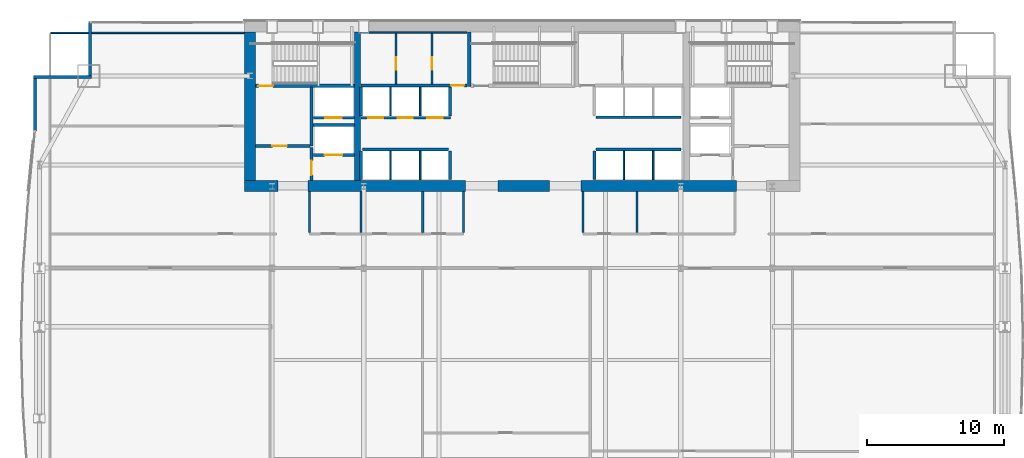
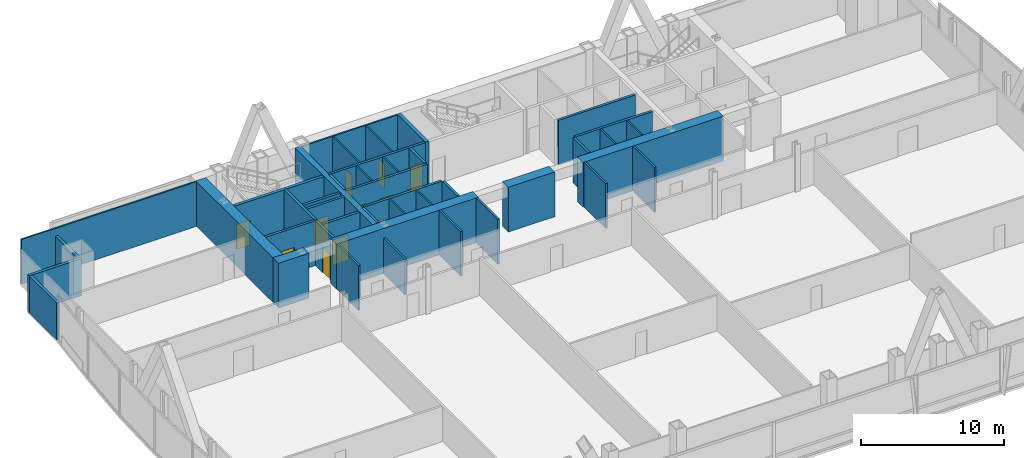
# One storey, part 29 of 33: 43 walls, 11 doors, 11 openings.
"""IFC4 building model written with IfcOpenShell, lengths in metres."""

from ifc_helpers import new_model, si_unit, direction, frame, frame_2d, origin, place, context, subcontext, project, spatial, rectangle, extrude, material, layer, layer_set, type_object, element, fill, save


model = new_model("IFC4")

# Units and contexts
model_context = context("Model", 3, precision=1e-05, world=origin(), true_north=direction((0.0, 1.0)))
body_context = subcontext(model_context, "Body", "Model", "MODEL_VIEW")
ifc_project = project(units=[si_unit("LENGTHUNIT", "METRE"), si_unit("AREAUNIT", "SQUARE_METRE"), si_unit("VOLUMEUNIT", "CUBIC_METRE"), si_unit("PLANEANGLEUNIT", "RADIAN"), si_unit("MASSUNIT", "GRAM", prefix="KILO")], contexts=[model_context])

# Site, building, storey
site_placement = place(None, origin())
site = spatial("IfcSite", under=ifc_project, at=site_placement, CompositionType="ELEMENT")
building_placement = place(site_placement, origin())
building = spatial("IfcBuilding", under=site, at=building_placement, Name="Khoronbel Lancet Exchange", CompositionType="ELEMENT")
storey_placement = place(building_placement, frame((0.0, 0.0, 73.800048828125)))
storey = spatial("IfcBuildingStorey", under=building, at=storey_placement, Name="L17", CompositionType="ELEMENT", Elevation=73.800048828125)

# Walls
ifc_material_1 = material(Name="Concrete C80/95", Category="concrete")
ifc_layer_1 = layer(ifc_material_1, 0.800048828125, Name="Concrete C80/95")
ifc_layer_set_1 = layer_set([ifc_layer_1], Name="Concrete C80/95")
wall_type_1 = type_object("IfcWallType", Name="WL-CW1", PredefinedType="SHEAR", material=ifc_layer_set_1)
wall_1_placement = place(storey_placement, frame((16.60009765625, 42.10009765625, 0.0), z_axis=(0.0, 0.0, 1.0), x_axis=(0.0, 1.0, 0.0)))
element("IfcWall", 1, at=wall_1_placement, inside=storey, type_object=wall_type_1, Name="Level L17 rear core west shear wall", PredefinedType="SHEAR", context=body_context, shape_type="SweptSolid", body=[
    extrude(rectangle(XDim=10.7998046875, YDim=0.800048828125, at=frame_2d((5.39990234375, 0.0))), origin(), (0.0, 0.0, 1.0), 3.820068359375),
])
wall_2_placement = place(storey_placement, frame((18.64990234375, 41.699951171875, 0.0), z_axis=(0.0, 0.0, 1.0), x_axis=(-1.0, 0.0, 0.0)))
element("IfcWall", 2, at=wall_2_placement, inside=storey, type_object=wall_type_1, Name="Level L17 rear core south shear wall pier P1", PredefinedType="SHEAR", context=body_context, shape_type="SweptSolid", body=[
    extrude(rectangle(XDim=2.449951171875, YDim=0.800048828125, at=frame_2d((1.22509765625, 0.0))), origin(), (0.0, 0.0, 1.0), 3.820068359375),
])
wall_3_placement = place(storey_placement, frame((32.300048828125, 41.699951171875, 0.0), z_axis=(0.0, 0.0, 1.0), x_axis=(-1.0, 0.0, 0.0)))
element("IfcWall", 3, at=wall_3_placement, inside=storey, type_object=wall_type_1, Name="Level L17 rear core south shear wall pier P2", PredefinedType="SHEAR", context=body_context, shape_type="SweptSolid", body=[
    extrude(rectangle(XDim=11.449951171875, YDim=0.800048828125, at=frame_2d((5.72509765625, 0.0))), origin(), (0.0, 0.0, 1.0), 3.820068359375),
])
wall_4_placement = place(storey_placement, frame((38.449951171875, 41.699951171875, 0.0), z_axis=(0.0, 0.0, 1.0), x_axis=(-1.0, 0.0, 0.0)))
element("IfcWall", 4, at=wall_4_placement, inside=storey, type_object=wall_type_1, Name="Level L17 rear core south shear wall pier P3", PredefinedType="SHEAR", context=body_context, shape_type="SweptSolid", body=[
    extrude(rectangle(XDim=3.75, YDim=0.800048828125, at=frame_2d((1.875, 0.0))), origin(), (0.0, 0.0, 1.0), 3.820068359375),
])
wall_5_placement = place(storey_placement, frame((52.050048828125, 41.699951171875, 0.0), z_axis=(0.0, 0.0, 1.0), x_axis=(-1.0, 0.0, 0.0)))
element("IfcWall", 5, at=wall_5_placement, inside=storey, type_object=wall_type_1, Name="Level L17 rear core south shear wall pier P4", PredefinedType="SHEAR", context=body_context, shape_type="SweptSolid", body=[
    extrude(rectangle(XDim=11.300048828125, YDim=0.800048828125, at=frame_2d((5.64990234375, 0.0))), origin(), (0.0, 0.0, 1.0), 3.820068359375),
])
ifc_material_2 = material(Name="Precast concrete C40/50", Category="concrete")
ifc_layer_2 = layer(ifc_material_2, 0.25, Name="Precast concrete C40/50")
ifc_layer_set_2 = layer_set([ifc_layer_2], Name="Precast concrete C40/50")
wall_type_2 = type_object("IfcWallType", Name="WL-EXT250", PredefinedType="SOLIDWALL", material=ifc_layer_set_2)
wall_6_placement = place(storey_placement, frame((0.93994140625, 45.675537109375, 0.0), z_axis=(0.0, 0.0, 1.0), x_axis=(0.0, 1.0, 0.0)))
element("IfcWall", 6, at=wall_6_placement, inside=storey, type_object=wall_type_2, Name="Level L17 notched-corner limestone pier 10", PredefinedType="SOLIDWALL", context=body_context, shape_type="SweptSolid", body=[
    extrude(rectangle(XDim=3.824462890625, YDim=0.219970703125, at=frame_2d((1.912109375, 0.0))), origin(), (0.0, 0.0, 1.0), 3.159912109375),
])
wall_7_placement = place(storey_placement, frame((0.830078125, 49.610107421875, 0.0), z_axis=(0.0, 0.0, 1.0), x_axis=(1.0, 0.0, 0.0)))
element("IfcWall", 7, at=wall_7_placement, inside=storey, type_object=wall_type_2, Name="Level L17 notched-corner limestone pier 11", PredefinedType="SOLIDWALL", context=body_context, shape_type="SweptSolid", body=[
    extrude(rectangle(XDim=4.219970703125, YDim=0.219970703125, at=frame_2d((2.10986328125, 0.0))), origin(), (0.0, 0.0, 1.0), 3.159912109375),
])
wall_8_placement = place(storey_placement, frame((4.93994140625, 49.719970703125, 0.0), z_axis=(0.0, 0.0, 1.0), x_axis=(0.0, 1.0, 0.0)))
element("IfcWall", 8, at=wall_8_placement, inside=storey, type_object=wall_type_2, Name="Level L17 notched-corner limestone pier 12", PredefinedType="SOLIDWALL", context=body_context, shape_type="SweptSolid", body=[
    extrude(rectangle(XDim=3.909912109375, YDim=0.219970703125, at=frame_2d((1.955078125, 0.0))), origin(), (0.0, 0.0, 1.0), 3.159912109375),
])
ifc_material_3 = material(Name="Acoustic Metal-Stud & Mineral-Wool Gypsum Partition 120 mm", Category="gypsum")
ifc_layer_3 = layer(ifc_material_3, 0.1201171875, Name="Acoustic Metal-Stud & Mineral-Wool Gypsum Partition 120 mm")
ifc_layer_set_3 = layer_set([ifc_layer_3], Name="Acoustic Metal-Stud & Mineral-Wool Gypsum Partition 120 mm")
wall_type_3 = type_object("IfcWallType", Name="WL-PRT120", PredefinedType="PARTITIONING", material=ifc_layer_set_3)
wall_9_placement = place(storey_placement, frame((20.949951171875, 38.280029296875, 0.0), z_axis=(0.0, 0.0, 1.0), x_axis=(0.0, 1.0, 0.0)))
element("IfcWall", 9, at=wall_9_placement, inside=storey, type_object=wall_type_3, Name="Level L17 interior partition PW-WC-0", PredefinedType="PARTITIONING", context=body_context, shape_type="SweptSolid", body=[
    extrude(rectangle(XDim=3.02001953125, YDim=0.14990234375, at=frame_2d((1.510009765625, 0.0))), origin(), (0.0, 0.0, 1.0), 3.820068359375),
])
wall_10_placement = place(storey_placement, frame((24.699951171875, 38.280029296875, 0.0), z_axis=(0.0, 0.0, 1.0), x_axis=(0.0, 1.0, 0.0)))
element("IfcWall", 10, at=wall_10_placement, inside=storey, type_object=wall_type_3, Name="Level L17 interior partition PW-WC-1", PredefinedType="PARTITIONING", context=body_context, shape_type="SweptSolid", body=[
    extrude(rectangle(XDim=3.02001953125, YDim=0.14990234375, at=frame_2d((1.510009765625, 0.0))), origin(), (0.0, 0.0, 1.0), 3.010009765625),
])
for number, where, z_axis, x_axis, name in (
    (11, (29.199951171875, 38.280029296875, 0.0), (0.0, 0.0, 1.0), (0.0, 1.0, 0.0), "Level L17 interior partition PW-WC-2"),
    (12, (32.179931640625, 38.280029296875, 0.0), (0.0, 0.0, 1.0), (0.0, 1.0, 0.0), "Level L17 interior partition PW-WC-3"),
    (13, (40.8798828125, 38.280029296875, 0.0), (0.0, 0.0, 1.0), (0.0, 1.0, 0.0), "Level L17 interior partition PW-NP-0"),
    (14, (44.800048828125, 38.280029296875, 0.0), (0.0, 0.0, 1.0), (0.0, 1.0, 0.0), "Level L17 interior partition PW-NP-M"),
):
    element("IfcWall", number, at=place(storey_placement, frame(where, z_axis=z_axis, x_axis=x_axis)), inside=storey, type_object=wall_type_3, Name=name, PredefinedType="PARTITIONING", context=body_context, shape_type="SweptSolid", body=[
        extrude(rectangle(XDim=3.02001953125, YDim=0.14990234375, at=frame_2d((1.510009765625, 0.0))), origin(), (0.0, 0.0, 1.0), 3.820068359375),
    ])
wall_11_placement = place(storey_placement, frame((2.094970703125, 52.840087890625, 0.0), z_axis=(0.0, 0.0, 1.0), x_axis=(1.0, 0.0, 0.0)))
element("IfcWall", 15, at=wall_11_placement, inside=storey, type_object=wall_type_3, Name="Level L17 interior partition PW-LIN-NW", PredefinedType="PARTITIONING", context=body_context, shape_type="SweptSolid", body=[
    extrude(rectangle(XDim=14.10498046875, YDim=0.1201171875, at=frame_2d((7.052490234375, 0.0))), origin(), (0.0, 0.0, 1.0), 3.820068359375),
])
ifc_material_4 = material(Name="Fire-Rated Metal-Stud & Mineral-Wool Gypsum Partition 120 mm", Category="gypsum")
ifc_layer_4 = layer(ifc_material_4, 0.1201171875, Name="Fire-Rated Metal-Stud & Mineral-Wool Gypsum Partition 120 mm")
ifc_layer_set_4 = layer_set([ifc_layer_4], Name="Fire-Rated Metal-Stud & Mineral-Wool Gypsum Partition 120 mm")
wall_type_4 = type_object("IfcWallType", Name="WL-PRT120F", PredefinedType="PARTITIONING", material=ifc_layer_set_4)
for number, where, z_axis, x_axis, name in (
    (16, (26.860107421875, 46.800048828125, 0.0), (0.0, 0.0, 1.0), (0.0, 1.0, 0.0), "Level L17 interior partition CW-PL-D1"),
    (17, (29.02001953125, 46.800048828125, 0.0), (0.0, 0.0, 1.0), (0.0, 1.0, 0.0), "Level L17 interior partition CW-PL-D2"),
):
    element("IfcWall", number, at=place(storey_placement, frame(where, z_axis=z_axis, x_axis=x_axis)), inside=storey, type_object=wall_type_4, Name=name, PredefinedType="PARTITIONING", context=body_context, shape_type="SweptSolid", body=[
        extrude(rectangle(XDim=2.094970703125, YDim=0.1201171875, at=frame_2d((1.04736328125, 0.0))), origin(), (0.0, 0.0, 1.0), 3.820068359375),
    ])
for number, where, z_axis, x_axis, name in (
    (18, (26.860107421875, 42.14990234375, 0.0), (0.0, 0.0, 1.0), (0.0, 1.0, 0.0), "Level L17 interior partition CW-PM-D1"),
    (19, (29.02001953125, 42.14990234375, 0.0), (0.0, 0.0, 1.0), (0.0, 1.0, 0.0), "Level L17 interior partition CW-PM-D2"),
    (20, (43.860107421875, 42.14990234375, 0.0), (0.0, 0.0, 1.0), (0.0, 1.0, 0.0), "Level L17 interior partition CW-PX-D1"),
    (21, (46.0, 42.14990234375, 0.0), (0.0, 0.0, 1.0), (0.0, 1.0, 0.0), "Level L17 interior partition CW-PX-D2"),
):
    element("IfcWall", number, at=place(storey_placement, frame(where, z_axis=z_axis, x_axis=x_axis)), inside=storey, type_object=wall_type_4, Name=name, PredefinedType="PARTITIONING", context=body_context, shape_type="SweptSolid", body=[
        extrude(rectangle(XDim=2.09521484375, YDim=0.1201171875, at=frame_2d((1.047607421875, 0.0))), origin(), (0.0, 0.0, 1.0), 3.820068359375),
    ])
wall_12_placement = place(storey_placement, frame((24.699951171875, 52.860107421875, 0.0), z_axis=(0.0, 0.0, 1.0), x_axis=(1.0, 0.0, 0.0)))
element("IfcWall", 22, at=wall_12_placement, inside=storey, type_object=wall_type_4, Name="Level L17 interior partition CW-SUP-NW-N", PredefinedType="PARTITIONING", context=body_context, shape_type="SweptSolid", body=[
    extrude(rectangle(XDim=7.719970703125, YDim=0.1201171875, at=frame_2d((3.85986328125, 0.0))), origin(), (0.0, 0.0, 1.0), 3.820068359375),
])

# Wall, opening, door
wall_13_placement = place(storey_placement, frame((27.24755859375, 49.10498046875, 0.0), z_axis=(0.0, 0.0, 1.0), x_axis=(0.0, 1.0, 0.0)))
wall_13 = element("IfcWall", 23, at=wall_13_placement, inside=storey, type_object=wall_type_4, Name="Level L17 interior partition CW-SUP-NW-T1", PredefinedType="PARTITIONING", context=body_context, shape_type="SweptSolid", body=[
    extrude(rectangle(XDim=3.68994140625, YDim=0.1201171875, at=frame_2d((1.844970703125, 0.0))), origin(), (0.0, 0.0, 1.0), 3.820068359375),
])
opening_1_placement = place(wall_13_placement, frame((1.050048828125, 0.0, 0.0)))
opening_1 = element("IfcOpeningElement", 24, at=opening_1_placement, cuts=wall_13, Name="Opening FD4", PredefinedType="OPENING", context=body_context, shape_type="SweptSolid", body=[
    extrude(rectangle(XDim=0.89990234375, YDim=2.050048828125, at=frame_2d((0.449951171875, 1.02490234375))), frame((0.0, 0.070068359375, 0.0), z_axis=(0.0, -1.0, 0.0), x_axis=(1.0, 0.0, 0.0)), (0.0, 0.0, 1.0), 0.14013671875),
])
ifc_material_5 = material(Name="Fire-Rated Steel Core Support Door Assembly", Category="steel")
door_type_1 = type_object("IfcDoorType", Name="DR-FD4", OperationType="NOTDEFINED", PredefinedType="DOOR", material=ifc_material_5)
door_1_placement = place(opening_1_placement, origin())
door_1 = element("IfcDoor", 25, at=door_1_placement, inside=storey, type_object=door_type_1, Name="Core NW bay 1 door L17-1", OperationType="SINGLE_SWING_LEFT", OverallHeight=2.050048828125, OverallWidth=0.89990234375, PredefinedType="DOOR", context=body_context, shape_type="SweptSolid", body=[
    extrude(rectangle(XDim=0.89990234375, YDim=2.050048828125, at=frame_2d((0.449951171875, 1.02490234375))), frame((0.0, 0.02490234375, 0.0), z_axis=(0.0, -1.0, 0.0), x_axis=(1.0, 0.0, 0.0)), (0.0, 0.0, 1.0), 0.050048828125),
])
fill(opening_1, door_1)

wall_14_placement = place(storey_placement, frame((29.872314453125, 49.10498046875, 0.0), z_axis=(0.0, 0.0, 1.0), x_axis=(0.0, 1.0, 0.0)))
wall_14 = element("IfcWall", 26, at=wall_14_placement, inside=storey, type_object=wall_type_4, Name="Level L17 interior partition CW-SUP-NW-T2", PredefinedType="PARTITIONING", context=body_context, shape_type="SweptSolid", body=[
    extrude(rectangle(XDim=3.68994140625, YDim=0.1201171875, at=frame_2d((1.844970703125, 0.0))), origin(), (0.0, 0.0, 1.0), 3.820068359375),
])
opening_2_placement = place(wall_14_placement, frame((1.050048828125, 0.0, 0.0)))
opening_2 = element("IfcOpeningElement", 27, at=opening_2_placement, cuts=wall_14, Name="Opening FD4", PredefinedType="OPENING", context=body_context, shape_type="SweptSolid", body=[
    extrude(rectangle(XDim=0.89990234375, YDim=2.050048828125, at=frame_2d((0.449951171875, 1.02490234375))), frame((0.0, 0.070068359375, 0.0), z_axis=(0.0, -1.0, 0.0), x_axis=(1.0, 0.0, 0.0)), (0.0, 0.0, 1.0), 0.14013671875),
])
door_2_placement = place(opening_2_placement, origin())
door_2 = element("IfcDoor", 28, at=door_2_placement, inside=storey, type_object=door_type_1, Name="Core NW bay 2 door L17-1", OperationType="SINGLE_SWING_RIGHT", OverallHeight=2.050048828125, OverallWidth=0.89990234375, PredefinedType="DOOR", context=body_context, shape_type="SweptSolid", body=[
    extrude(rectangle(XDim=0.89990234375, YDim=2.050048828125, at=frame_2d((0.449951171875, 1.02490234375))), frame((0.0, 0.02490234375, 0.0), z_axis=(0.0, -1.0, 0.0), x_axis=(1.0, 0.0, 0.0)), (0.0, 0.0, 1.0), 0.050048828125),
])
fill(opening_2, door_2)

ifc_material_6 = material(Name="Autoclaved Aerated Concrete Blockwork 200 mm", Category="masonry")
ifc_layer_5 = layer(ifc_material_6, 0.199951171875, Name="Autoclaved Aerated Concrete Blockwork 200 mm")
ifc_layer_set_5 = layer_set([ifc_layer_5], Name="Autoclaved Aerated Concrete Blockwork 200 mm")
wall_type_5 = type_object("IfcWallType", Name="WL-PRT200", PredefinedType="PARTITIONING", material=ifc_layer_set_5)
wall_15_placement = place(storey_placement, frame((24.2099609375, 43.949951171875, 0.0), z_axis=(0.0, 0.0, 1.0), x_axis=(-1.0, 0.0, 0.0)))
wall_15 = element("IfcWall", 29, at=wall_15_placement, inside=storey, type_object=wall_type_5, Name="Level L17 elevator hoistway landing front wall SVLW", PredefinedType="PARTITIONING", context=body_context, shape_type="SweptSolid", body=[
    extrude(rectangle(XDim=2.969970703125, YDim=0.199951171875, at=frame_2d((1.48486328125, 0.0))), origin(), (0.0, 0.0, 1.0), 3.820068359375),
])
opening_3_placement = place(wall_15_placement, frame((0.860107421875, 0.0, 0.0)))
opening_3 = element("IfcOpeningElement", 30, at=opening_3_placement, cuts=wall_15, Name="Opening LD-SVL1", PredefinedType="OPENING", context=body_context, shape_type="SweptSolid", body=[
    extrude(rectangle(XDim=1.300048828125, YDim=2.179931640625, at=frame_2d((0.64990234375, 1.08984375))), frame((0.0, 0.10986328125, 0.0), z_axis=(0.0, -1.0, 0.0), x_axis=(1.0, 0.0, 0.0)), (0.0, 0.0, 1.0), 0.219970703125),
])
ifc_material_7 = material(Name="Heavy-Duty Bi-Parting Goods Lift Landing Door", Category="steel")
door_type_2 = type_object("IfcDoorType", Name="DR-LD-SVL", OperationType="NOTDEFINED", PredefinedType="DOOR", material=ifc_material_7)
door_3_placement = place(opening_3_placement, origin())
door_3 = element("IfcDoor", 31, at=door_3_placement, inside=storey, type_object=door_type_2, Name="Elevator landing sliding door LD-SVL1 L17", OperationType="SLIDING_TO_LEFT", OverallHeight=2.179931640625, OverallWidth=1.300048828125, PredefinedType="DOOR", context=body_context, shape_type="SweptSolid", body=[
    extrude(rectangle(XDim=1.300048828125, YDim=2.179931640625, at=frame_2d((0.64990234375, 1.08984375))), frame((0.0, 0.02490234375, 0.0), z_axis=(0.0, -1.0, 0.0), x_axis=(1.0, 0.0, 0.0)), (0.0, 0.0, 1.0), 0.050048828125),
])
fill(opening_3, door_3)

wall_16_placement = place(storey_placement, frame((24.2099609375, 46.64990234375, 0.0), z_axis=(0.0, 0.0, 1.0), x_axis=(-1.0, 0.0, 0.0)))
wall_16 = element("IfcWall", 32, at=wall_16_placement, inside=storey, type_object=wall_type_5, Name="Level L17 elevator hoistway landing front wall FFLW", PredefinedType="PARTITIONING", context=body_context, shape_type="SweptSolid", body=[
    extrude(rectangle(XDim=2.969970703125, YDim=0.199951171875, at=frame_2d((1.48486328125, 0.0))), origin(), (0.0, 0.0, 1.0), 3.820068359375),
])
opening_4_placement = place(wall_16_placement, frame((0.909912109375, 0.0, 0.0)))
opening_4 = element("IfcOpeningElement", 33, at=opening_4_placement, cuts=wall_16, Name="Opening LD-FFL1", PredefinedType="OPENING", context=body_context, shape_type="SweptSolid", body=[
    extrude(rectangle(XDim=1.199951171875, YDim=2.179931640625, at=frame_2d((0.60009765625, 1.08984375))), frame((0.0, 0.10986328125, 0.0), z_axis=(0.0, -1.0, 0.0), x_axis=(1.0, 0.0, 0.0)), (0.0, 0.0, 1.0), 0.219970703125),
])
ifc_material_8 = material(Name="Fire-Rated Stainless Bi-Parting Firefighting Lift Door", Category="steel")
door_type_3 = type_object("IfcDoorType", Name="DR-LD-FFL", OperationType="NOTDEFINED", PredefinedType="DOOR", material=ifc_material_8)
door_4_placement = place(opening_4_placement, origin())
door_4 = element("IfcDoor", 34, at=door_4_placement, inside=storey, type_object=door_type_3, Name="Elevator landing sliding door LD-FFL1 L17", OperationType="SLIDING_TO_LEFT", OverallHeight=2.179931640625, OverallWidth=1.199951171875, PredefinedType="DOOR", context=body_context, shape_type="SweptSolid", body=[
    extrude(rectangle(XDim=1.199951171875, YDim=2.179931640625, at=frame_2d((0.60009765625, 1.08984375))), frame((0.0, 0.02490234375, 0.0), z_axis=(0.0, -1.0, 0.0), x_axis=(1.0, 0.0, 0.0)), (0.0, 0.0, 1.0), 0.050048828125),
])
fill(opening_4, door_4)

# Wall, openings, doors
wall_17_placement = place(storey_placement, frame((31.219970703125, 46.64990234375, 0.0), z_axis=(0.0, 0.0, 1.0), x_axis=(-1.0, 0.0, 0.0)))
wall_17 = element("IfcWall", 35, at=wall_17_placement, inside=storey, type_object=wall_type_5, Name="Level L17 elevator hoistway landing front wall PLW", PredefinedType="PARTITIONING", context=body_context, shape_type="SweptSolid", body=[
    extrude(rectangle(XDim=6.530029296875, YDim=0.199951171875, at=frame_2d((3.26513671875, 0.0))), origin(), (0.0, 0.0, 1.0), 3.820068359375),
])
opening_5_placement = place(wall_17_placement, frame((4.89990234375, 0.0, 0.0)))
opening_5 = element("IfcOpeningElement", 36, at=opening_5_placement, cuts=wall_17, Name="Opening LD-PL1", PredefinedType="OPENING", context=body_context, shape_type="SweptSolid", body=[
    extrude(rectangle(XDim=1.10009765625, YDim=2.179931640625, at=frame_2d((0.550048828125, 1.08984375))), frame((0.0, 0.10986328125, 0.0), z_axis=(0.0, -1.0, 0.0), x_axis=(1.0, 0.0, 0.0)), (0.0, 0.0, 1.0), 0.219970703125),
])
opening_6_placement = place(wall_17_placement, frame((2.739990234375, 0.0, 0.0)))
opening_6 = element("IfcOpeningElement", 37, at=opening_6_placement, cuts=wall_17, Name="Opening LD-PL2", PredefinedType="OPENING", context=body_context, shape_type="SweptSolid", body=[
    extrude(rectangle(XDim=1.10009765625, YDim=2.179931640625, at=frame_2d((0.550048828125, 1.08984375))), frame((0.0, 0.10986328125, 0.0), z_axis=(0.0, -1.0, 0.0), x_axis=(1.0, 0.0, 0.0)), (0.0, 0.0, 1.0), 0.219970703125),
])
opening_7_placement = place(wall_17_placement, frame((0.580078125, 0.0, 0.0)))
opening_7 = element("IfcOpeningElement", 38, at=opening_7_placement, cuts=wall_17, Name="Opening LD-PL3", PredefinedType="OPENING", context=body_context, shape_type="SweptSolid", body=[
    extrude(rectangle(XDim=1.10009765625, YDim=2.179931640625, at=frame_2d((0.550048828125, 1.08984375))), frame((0.0, 0.10986328125, 0.0), z_axis=(0.0, -1.0, 0.0), x_axis=(1.0, 0.0, 0.0)), (0.0, 0.0, 1.0), 0.219970703125),
])
ifc_material_9 = material(Name="Brushed Bronze Bi-Parting Elevator Landing Door", Category="steel")
door_type_4 = type_object("IfcDoorType", Name="DR-LD-PAX", OperationType="NOTDEFINED", PredefinedType="DOOR", material=ifc_material_9)
door_5_placement = place(opening_5_placement, origin())
door_5 = element("IfcDoor", 39, at=door_5_placement, inside=storey, type_object=door_type_4, Name="Elevator landing sliding door LD-PL1 L17", OperationType="SLIDING_TO_LEFT", OverallHeight=2.179931640625, OverallWidth=1.10009765625, PredefinedType="DOOR", context=body_context, shape_type="SweptSolid", body=[
    extrude(rectangle(XDim=1.10009765625, YDim=2.179931640625, at=frame_2d((0.550048828125, 1.08984375))), frame((0.0, 0.02490234375, 0.0), z_axis=(0.0, -1.0, 0.0), x_axis=(1.0, 0.0, 0.0)), (0.0, 0.0, 1.0), 0.050048828125),
])
fill(opening_5, door_5)
door_6_placement = place(opening_6_placement, origin())
door_6 = element("IfcDoor", 40, at=door_6_placement, inside=storey, type_object=door_type_4, Name="Elevator landing sliding door LD-PL2 L17", OperationType="SLIDING_TO_LEFT", OverallHeight=2.179931640625, OverallWidth=1.10009765625, PredefinedType="DOOR", context=body_context, shape_type="SweptSolid", body=[
    extrude(rectangle(XDim=1.10009765625, YDim=2.179931640625, at=frame_2d((0.550048828125, 1.08984375))), frame((0.0, 0.02490234375, 0.0), z_axis=(0.0, -1.0, 0.0), x_axis=(1.0, 0.0, 0.0)), (0.0, 0.0, 1.0), 0.050048828125),
])
fill(opening_6, door_6)
door_7_placement = place(opening_7_placement, origin())
door_7 = element("IfcDoor", 41, at=door_7_placement, inside=storey, type_object=door_type_4, Name="Elevator landing sliding door LD-PL3 L17", OperationType="SLIDING_TO_LEFT", OverallHeight=2.179931640625, OverallWidth=1.10009765625, PredefinedType="DOOR", context=body_context, shape_type="SweptSolid", body=[
    extrude(rectangle(XDim=1.10009765625, YDim=2.179931640625, at=frame_2d((0.550048828125, 1.08984375))), frame((0.0, 0.02490234375, 0.0), z_axis=(0.0, -1.0, 0.0), x_axis=(1.0, 0.0, 0.0)), (0.0, 0.0, 1.0), 0.050048828125),
])
fill(opening_7, door_7)

# Wall
wall_18_placement = place(storey_placement, frame((21.10009765625, 44.60009765625, 0.0), z_axis=(0.0, 0.0, 1.0), x_axis=(0.0, 1.0, 0.0)))
element("IfcWall", 42, at=wall_18_placement, inside=storey, type_object=wall_type_5, Name="Level L17 interior partition CW-FFLW-E", PredefinedType="PARTITIONING", context=body_context, shape_type="SweptSolid", body=[
    extrude(rectangle(XDim=4.2998046875, YDim=0.199951171875, at=frame_2d((2.14990234375, 0.0))), origin(), (0.0, 0.0, 1.0), 3.820068359375),
])

# Wall, opening, door
wall_19_placement = place(storey_placement, frame((17.0, 44.60009765625, 0.0), z_axis=(0.0, 0.0, 1.0), x_axis=(1.0, 0.0, 0.0)))
wall_19 = element("IfcWall", 43, at=wall_19_placement, inside=storey, type_object=wall_type_5, Name="Level L17 interior partition CW-FFLW-S", PredefinedType="PARTITIONING", context=body_context, shape_type="SweptSolid", body=[
    extrude(rectangle(XDim=4.0, YDim=0.199951171875, at=frame_2d((2.0, 0.0))), origin(), (0.0, 0.0, 1.0), 3.820068359375),
])
opening_8_placement = place(wall_19_placement, frame((1.25, 0.0, 0.0)))
opening_8 = element("IfcOpeningElement", 44, at=opening_8_placement, cuts=wall_19, Name="Opening FD1", PredefinedType="OPENING", context=body_context, shape_type="SweptSolid", body=[
    extrude(rectangle(XDim=1.050048828125, YDim=2.14990234375, at=frame_2d((0.52490234375, 1.074951171875))), frame((0.0, 0.10986328125, 0.0), z_axis=(0.0, -1.0, 0.0), x_axis=(1.0, 0.0, 0.0)), (0.0, 0.0, 1.0), 0.219970703125),
])
ifc_material_10 = material(Name="Fire-Rated Painted Steel Door Assembly", Category="steel")
door_type_5 = type_object("IfcDoorType", Name="DR-FD1", OperationType="NOTDEFINED", PredefinedType="DOOR", material=ifc_material_10)
door_8_placement = place(opening_8_placement, origin())
door_8 = element("IfcDoor", 45, at=door_8_placement, inside=storey, type_object=door_type_5, Name="West firefighting lobby FD90S door L17-1", OperationType="SINGLE_SWING_RIGHT", OverallHeight=2.14990234375, OverallWidth=1.050048828125, PredefinedType="DOOR", context=body_context, shape_type="SweptSolid", body=[
    extrude(rectangle(XDim=1.050048828125, YDim=2.14990234375, at=frame_2d((0.52490234375, 1.074951171875))), frame((0.0, 0.02490234375, 0.0), z_axis=(0.0, -1.0, 0.0), x_axis=(1.0, 0.0, 0.0)), (0.0, 0.0, 1.0), 0.050048828125),
])
fill(opening_8, door_8)

# Wall
wall_20_placement = place(storey_placement, frame((21.199951171875, 46.1201171875, 0.0), z_axis=(0.0, 0.0, 1.0), x_axis=(1.0, 0.0, 0.0)))
element("IfcWall", 46, at=wall_20_placement, inside=storey, type_object=wall_type_5, Name="Level L17 interior partition CW-FFL1-S", PredefinedType="PARTITIONING", context=body_context, shape_type="SweptSolid", body=[
    extrude(rectangle(XDim=3.02001953125, YDim=0.199951171875, at=frame_2d((1.510009765625, 0.0))), origin(), (0.0, 0.0, 1.0), 3.820068359375),
])

# Wall, opening, door
wall_21_placement = place(storey_placement, frame((21.10009765625, 42.10009765625, 0.0), z_axis=(0.0, 0.0, 1.0), x_axis=(0.0, 1.0, 0.0)))
wall_21 = element("IfcWall", 47, at=wall_21_placement, inside=storey, type_object=wall_type_5, Name="Level L17 interior partition CW-SVLW-W", PredefinedType="PARTITIONING", context=body_context, shape_type="SweptSolid", body=[
    extrude(rectangle(XDim=2.39501953125, YDim=0.199951171875, at=frame_2d((1.197509765625, 0.0))), origin(), (0.0, 0.0, 1.0), 3.820068359375),
])
opening_9_placement = place(wall_21_placement, frame((0.3798828125, 0.0, 0.0)))
opening_9 = element("IfcOpeningElement", 48, at=opening_9_placement, cuts=wall_21, Name="Opening FD1", PredefinedType="OPENING", context=body_context, shape_type="SweptSolid", body=[
    extrude(rectangle(XDim=1.050048828125, YDim=2.14990234375, at=frame_2d((0.52490234375, 1.074951171875))), frame((0.0, 0.10986328125, 0.0), z_axis=(0.0, -1.0, 0.0), x_axis=(1.0, 0.0, 0.0)), (0.0, 0.0, 1.0), 0.219970703125),
])
door_9_placement = place(opening_9_placement, origin())
door_9 = element("IfcDoor", 49, at=door_9_placement, inside=storey, type_object=door_type_5, Name="West service lift lobby door L17-1", OperationType="SINGLE_SWING_LEFT", OverallHeight=2.14990234375, OverallWidth=1.050048828125, PredefinedType="DOOR", context=body_context, shape_type="SweptSolid", body=[
    extrude(rectangle(XDim=1.050048828125, YDim=2.14990234375, at=frame_2d((0.52490234375, 1.074951171875))), frame((0.0, 0.02490234375, 0.0), z_axis=(0.0, -1.0, 0.0), x_axis=(1.0, 0.0, 0.0)), (0.0, 0.0, 1.0), 0.050048828125),
])
fill(opening_9, door_9)

# Walls
for number, where, z_axis, x_axis, name in (
    (50, (24.699951171875, 46.800048828125, 0.0), (0.0, 0.0, 1.0), (0.0, 1.0, 0.0), "Level L17 interior partition CW-PL-W"),
    (51, (31.179931640625, 46.800048828125, 0.0), (0.0, 0.0, 1.0), (0.0, 1.0, 0.0), "Level L17 interior partition CW-PL-E"),
):
    element("IfcWall", number, at=place(storey_placement, frame(where, z_axis=z_axis, x_axis=x_axis)), inside=storey, type_object=wall_type_5, Name=name, PredefinedType="PARTITIONING", context=body_context, shape_type="SweptSolid", body=[
        extrude(rectangle(XDim=2.094970703125, YDim=0.199951171875, at=frame_2d((1.04736328125, 0.0))), origin(), (0.0, 0.0, 1.0), 3.820068359375),
    ])
wall_22_placement = place(storey_placement, frame((24.804931640625, 44.35009765625, 0.0), z_axis=(0.0, 0.0, 1.0), x_axis=(1.0, 0.0, 0.0)))
element("IfcWall", 52, at=wall_22_placement, inside=storey, type_object=wall_type_5, Name="Level L17 interior partition CW-PM-EXP", PredefinedType="PARTITIONING", context=body_context, shape_type="SweptSolid", body=[
    extrude(rectangle(XDim=6.27001953125, YDim=0.199951171875, at=frame_2d((3.135009765625, 0.0))), origin(), (0.0, 0.0, 1.0), 3.820068359375),
])
for number, where, z_axis, x_axis, name in (
    (53, (24.699951171875, 42.14990234375, 0.0), (0.0, 0.0, 1.0), (0.0, 1.0, 0.0), "Level L17 interior partition CW-PM-W"),
    (54, (31.179931640625, 42.14990234375, 0.0), (0.0, 0.0, 1.0), (0.0, 1.0, 0.0), "Level L17 interior partition CW-PM-E"),
):
    element("IfcWall", number, at=place(storey_placement, frame(where, z_axis=z_axis, x_axis=x_axis)), inside=storey, type_object=wall_type_5, Name=name, PredefinedType="PARTITIONING", context=body_context, shape_type="SweptSolid", body=[
        extrude(rectangle(XDim=2.09521484375, YDim=0.199951171875, at=frame_2d((1.047607421875, 0.0))), origin(), (0.0, 0.0, 1.0), 3.820068359375),
    ])
for number, where, z_axis, x_axis, name in (
    (55, (41.824951171875, 46.699951171875, 0.0), (0.0, 0.0, 1.0), (1.0, 0.0, 0.0), "Level L17 interior partition CW-PH-EXP"),
    (56, (41.824951171875, 44.35009765625, 0.0), (0.0, 0.0, 1.0), (1.0, 0.0, 0.0), "Level L17 interior partition CW-PX-EXP"),
):
    element("IfcWall", number, at=place(storey_placement, frame(where, z_axis=z_axis, x_axis=x_axis)), inside=storey, type_object=wall_type_5, Name=name, PredefinedType="PARTITIONING", context=body_context, shape_type="SweptSolid", body=[
        extrude(rectangle(XDim=6.2099609375, YDim=0.199951171875, at=frame_2d((3.10498046875, 0.0))), origin(), (0.0, 0.0, 1.0), 3.820068359375),
    ])
wall_23_placement = place(storey_placement, frame((41.719970703125, 42.14990234375, 0.0), z_axis=(0.0, 0.0, 1.0), x_axis=(0.0, 1.0, 0.0)))
element("IfcWall", 57, at=wall_23_placement, inside=storey, type_object=wall_type_5, Name="Level L17 interior partition CW-PX-W", PredefinedType="PARTITIONING", context=body_context, shape_type="SweptSolid", body=[
    extrude(rectangle(XDim=2.09521484375, YDim=0.199951171875, at=frame_2d((1.047607421875, 0.0))), origin(), (0.0, 0.0, 1.0), 3.820068359375),
])

# Wall, opening, door
wall_24_placement = place(storey_placement, frame((24.699951171875, 49.0, 0.0), z_axis=(0.0, 0.0, 1.0), x_axis=(1.0, 0.0, 0.0)))
wall_24 = element("IfcWall", 58, at=wall_24_placement, inside=storey, type_object=wall_type_5, Name="Level L17 interior partition CW-SUP-NW-S", PredefinedType="PARTITIONING", context=body_context, shape_type="SweptSolid", body=[
    extrude(rectangle(XDim=7.719970703125, YDim=0.199951171875, at=frame_2d((3.85986328125, 0.0))), origin(), (0.0, 0.0, 1.0), 3.820068359375),
])
opening_10_placement = place(wall_24_placement, frame((6.56005859375, 0.0, 0.0)))
opening_10 = element("IfcOpeningElement", 59, at=opening_10_placement, cuts=wall_24, Name="Opening FD3", PredefinedType="OPENING", context=body_context, shape_type="SweptSolid", body=[
    extrude(rectangle(XDim=0.949951171875, YDim=2.10009765625, at=frame_2d((0.47509765625, 1.050048828125))), frame((0.0, 0.10986328125, 0.0), z_axis=(0.0, -1.0, 0.0), x_axis=(1.0, 0.0, 0.0)), (0.0, 0.0, 1.0), 0.219970703125),
])
ifc_material_11 = material(Name="Fire-Rated Steel Plant & Riser Door Assembly", Category="steel")
door_type_6 = type_object("IfcDoorType", Name="DR-FD3", OperationType="NOTDEFINED", PredefinedType="DOOR", material=ifc_material_11)
door_10_placement = place(opening_10_placement, origin())
door_10 = element("IfcDoor", 60, at=door_10_placement, inside=storey, type_object=door_type_6, Name="Core NW support room door L17-1", OperationType="SINGLE_SWING_RIGHT", OverallHeight=2.10009765625, OverallWidth=0.949951171875, PredefinedType="DOOR", context=body_context, shape_type="SweptSolid", body=[
    extrude(rectangle(XDim=0.949951171875, YDim=2.10009765625, at=frame_2d((0.47509765625, 1.050048828125))), frame((0.0, 0.02490234375, 0.0), z_axis=(0.0, -1.0, 0.0), x_axis=(1.0, 0.0, 0.0)), (0.0, 0.0, 1.0), 0.050048828125),
])
fill(opening_10, door_10)

# Walls
ifc_layer_6 = layer(ifc_material_1, 0.449951171875, Name="Concrete C80/95")
ifc_layer_set_6 = layer_set([ifc_layer_6], Name="Concrete C80/95")
wall_type_6 = type_object("IfcWallType", Name="WL-SW1", PredefinedType="SHEAR", material=ifc_layer_set_6)
wall_25_placement = place(storey_placement, frame((24.449951171875, 42.10009765625, 0.0), z_axis=(0.0, 0.0, 1.0), x_axis=(0.0, 1.0, 0.0)))
element("IfcWall", 61, at=wall_25_placement, inside=storey, type_object=wall_type_6, Name="Level L17 rear core internal spine shear wall IW", PredefinedType="SHEAR", context=body_context, shape_type="SweptSolid", body=[
    extrude(rectangle(XDim=10.7998046875, YDim=0.449951171875, at=frame_2d((5.39990234375, 0.0))), origin(), (0.0, 0.0, 1.0), 3.820068359375),
])
ifc_material_12 = material(Name="Concrete C60/75", Category="concrete")
ifc_layer_7 = layer(ifc_material_12, 0.260009765625, Name="Concrete C60/75")
ifc_layer_set_7 = layer_set([ifc_layer_7], Name="Concrete C60/75")
wall_type_7 = type_object("IfcWallType", Name="WL-SW3", PredefinedType="SHEAR", material=ifc_layer_set_7)
wall_26_placement = place(storey_placement, frame((32.580078125, 48.949951171875, 0.0), z_axis=(0.0, 0.0, 1.0), x_axis=(0.0, 1.0, 0.0)))
element("IfcWall", 62, at=wall_26_placement, inside=storey, type_object=wall_type_7, Name="Level L17 central stairwell structural shear wall ST3W", PredefinedType="SHEAR", context=body_context, shape_type="SweptSolid", body=[
    extrude(rectangle(XDim=3.949951171875, YDim=0.260009765625, at=frame_2d((1.97509765625, 0.0))), origin(), (0.0, 0.0, 1.0), 3.820068359375),
])

# Wall, opening, door
wall_27_placement = place(storey_placement, frame((17.0, 48.97998046875, 0.0), z_axis=(0.0, 0.0, 1.0), x_axis=(1.0, 0.0, 0.0)))
wall_27 = element("IfcWall", 63, at=wall_27_placement, inside=storey, type_object=wall_type_7, Name="Level L17 west stairwell structural south wall", PredefinedType="SHEAR", context=body_context, shape_type="SweptSolid", body=[
    extrude(rectangle(XDim=7.219970703125, YDim=0.239990234375, at=frame_2d((3.60986328125, 0.0))), origin(), (0.0, 0.0, 1.0), 3.820068359375),
])
opening_11_placement = place(wall_27_placement, frame((0.219970703125, 0.0, 0.0)))
opening_11 = element("IfcOpeningElement", 64, at=opening_11_placement, cuts=wall_27, Name="Opening SD1", PredefinedType="OPENING", context=body_context, shape_type="SweptSolid", body=[
    extrude(rectangle(XDim=1.050048828125, YDim=2.14990234375, at=frame_2d((0.52490234375, 1.074951171875))), frame((0.0, 0.1298828125, 0.0), z_axis=(0.0, -1.0, 0.0), x_axis=(1.0, 0.0, 0.0)), (0.0, 0.0, 1.0), 0.260009765625),
])
ifc_material_13 = material(Name="Fire-Rated Steel Stairwell Door Assembly", Category="steel")
door_type_7 = type_object("IfcDoorType", Name="DR-SD1", OperationType="NOTDEFINED", PredefinedType="DOOR", material=ifc_material_13)
door_11_placement = place(opening_11_placement, origin())
door_11 = element("IfcDoor", 65, at=door_11_placement, inside=storey, type_object=door_type_7, Name="Protected exit stair ST1 door L17", OperationType="SINGLE_SWING_LEFT", OverallHeight=2.14990234375, OverallWidth=1.050048828125, PredefinedType="DOOR", context=body_context, shape_type="SweptSolid", body=[
    extrude(rectangle(XDim=1.050048828125, YDim=2.14990234375, at=frame_2d((0.52490234375, 1.074951171875))), frame((0.0, 0.02490234375, 0.0), z_axis=(0.0, -1.0, 0.0), x_axis=(1.0, 0.0, 0.0)), (0.0, 0.0, 1.0), 0.050048828125),
])
fill(opening_11, door_11)

save(model, "model.ifc")
